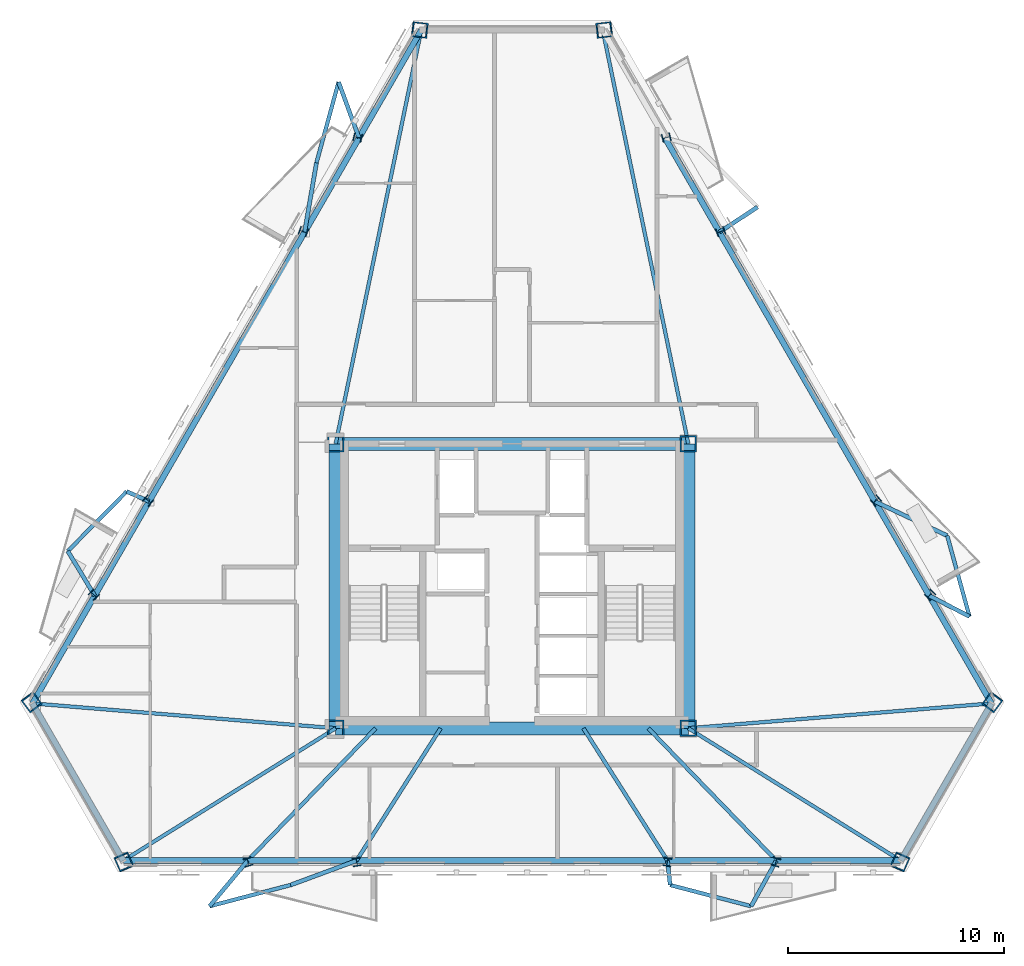
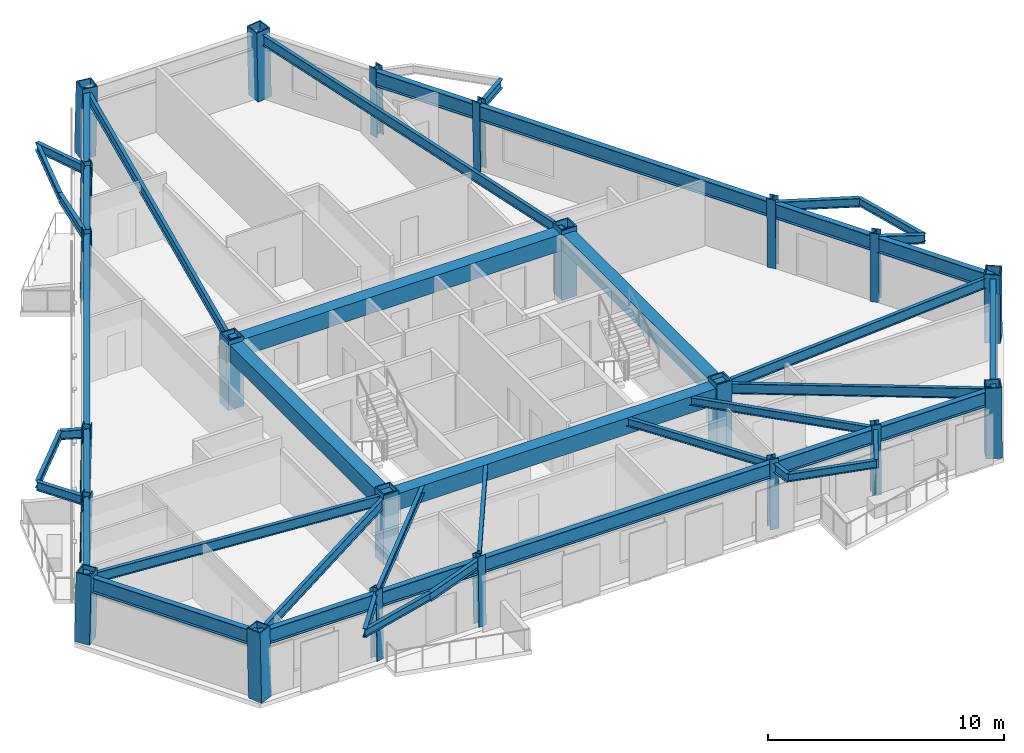
# One storey, part 1 of 8: 46 beams, 22 columns.
"""IFC4 building model written with IfcOpenShell, lengths in metres."""

from ifc_helpers import new_model, si_unit, direction, frame, origin, origin_2d, place, context, subcontext, project, spatial, rectangle, hollow_rectangle, i_section, extrude, material, material_profile, profile_set, type_object, element, save


model = new_model("IFC4")

# Units and contexts
model_context = context("Model", 3, precision=1e-05, world=origin(), true_north=direction((0.0, 1.0)))
body_context = subcontext(model_context, "Body", "Model", "MODEL_VIEW")
ifc_project = project(units=[si_unit("LENGTHUNIT", "METRE"), si_unit("AREAUNIT", "SQUARE_METRE"), si_unit("VOLUMEUNIT", "CUBIC_METRE"), si_unit("PLANEANGLEUNIT", "RADIAN"), si_unit("MASSUNIT", "GRAM", prefix="KILO")], contexts=[model_context])

# Site, building, storey
site_placement = place(None, origin())
site = spatial("IfcSite", under=ifc_project, at=site_placement, CompositionType="ELEMENT")
building_placement = place(site_placement, origin())
building = spatial("IfcBuilding", under=site, at=building_placement, Name="Oramaril Tower", CompositionType="ELEMENT")
storey_placement = place(building_placement, frame((0.0, 0.0, 171.0)))
storey = spatial("IfcBuildingStorey", under=building, at=storey_placement, Name="L45", CompositionType="ELEMENT", Elevation=171.0)

# Columns
ifc_material_1 = material(Name="Steel ASTM A572 Gr 50", Category="steel")
ifc_material_profile_1 = material_profile(ifc_material_1, hollow_rectangle(XDim=0.75, YDim=0.75, WallThickness=0.06005859375, at=origin_2d()), Name="BOX750X750X60")
ifc_profile_set_1 = profile_set([ifc_material_profile_1], Name="Steel ASTM A572 Gr 50")
column_type_1 = type_object("IfcColumnType", Name="CT-CC4", PredefinedType="COLUMN", material=ifc_profile_set_1)
for number, where, z_axis, x_axis, name in (
    (1, (29.35009765625, 11.0, 0.0), (0.0, 0.0, 1.0), (1.0, 0.0, 0.0), "L45 Core Column CC-1"),
    (2, (45.64990234375, 11.0, 0.0), (0.0, 0.0, 1.0), (1.0, 0.0, 0.0), "L45 Core Column CC-2"),
    (3, (45.64990234375, 24.14990234375, 0.0), (0.0, 0.0, 1.0), (1.0, 0.0, 0.0), "L45 Core Column CC-3"),
    (4, (29.35009765625, 24.14990234375, 0.0), (0.0, 0.0, 1.0), (1.0, 0.0, 0.0), "L45 Core Column CC-4"),
):
    element("IfcColumn", number, at=place(storey_placement, frame(where, z_axis=z_axis, x_axis=x_axis)), inside=storey, type_object=column_type_1, Name=name, PredefinedType="COLUMN", context=body_context, shape_type="SweptSolid", body=[
        extrude(hollow_rectangle(XDim=0.75, YDim=0.75, WallThickness=0.06005859375, at=origin_2d()), origin(), (0.0, 0.0, 1.0), 3.60009765625),
    ])
ifc_material_2 = material(Name="Steel ASTM A572 Gr 50", Category="steel")
ifc_material_profile_2 = material_profile(ifc_material_2, hollow_rectangle(XDim=0.699951171875, YDim=0.699951171875, WallThickness=0.054931640625, at=origin_2d()), Name="BOX700X700X55")
ifc_profile_set_2 = profile_set([ifc_material_profile_2], Name="Steel ASTM A572 Gr 50")
column_type_2 = type_object("IfcColumnType", Name="CT-TC4", PredefinedType="COLUMN", material=ifc_profile_set_2)
for number, where, z_axis, x_axis, name in (
    (5, (15.29248046875, 12.214111328125, 0.00439453125), (0.013253906526, -0.017875781622, 0.999752364535), (0.803286576992, 0.595592709177, 0.0), "L45 Tube Column TC-01"),
    (6, (19.56689453125, 4.810546875, 0.00439453125), (-0.008835931418, 0.020458579668, 0.99975165558), (-0.918037123472, -0.396494438709, 0.0), "L45 Tube Column TC-02"),
    (7, (55.43310546875, 4.810546875, 0.00439453125), (0.008835931418, 0.020458579668, 0.99975165558), (-0.918037123472, 0.396494438709, 0.0), "L45 Tube Column TC-03"),
    (8, (59.70751953125, 12.214111328125, 0.00439453125), (-0.013253906526, -0.017875781622, 0.999752364535), (0.803286576992, -0.595592709177, 0.0), "L45 Tube Column TC-04"),
    (9, (41.7744140625, 43.275390625, 0.00439453125), (-0.022089850587, -0.002582813299, 0.999752653198), (0.116131951318, -0.993233794171, 0.0), "L45 Tube Column TC-05"),
    (10, (33.2255859375, 43.275390625, 0.00439453125), (0.022089850587, -0.002582813299, 0.999752653198), (0.116131951318, 0.993233794171, 0.0), "L45 Tube Column TC-06"),
):
    element("IfcColumn", number, at=place(storey_placement, frame(where, z_axis=z_axis, x_axis=x_axis)), inside=storey, type_object=column_type_2, Name=name, PredefinedType="COLUMN", context=body_context, shape_type="SweptSolid", body=[
        extrude(hollow_rectangle(XDim=0.699951171875, YDim=0.699951171875, WallThickness=0.054931640625, at=origin_2d()), origin(), (0.0, 0.0, 1.0), 3.592041015625),
    ])
ifc_material_3 = material(Name="Steel ASTM A572 Gr 50", Category="steel")
ifc_material_profile_3 = material_profile(ifc_material_3, i_section(OverallWidth=0.39892578125, OverallDepth=0.385986328125, WebThickness=0.02099609375, FlangeThickness=0.033203125, at=origin_2d()), Name="W14X176")
ifc_profile_set_3 = profile_set([ifc_material_profile_3], Name="Steel ASTM A572 Gr 50")
column_type_3 = type_object("IfcColumnType", Name="CT-TF4", PredefinedType="COLUMN", material=ifc_profile_set_3)
for number, where, z_axis, x_axis, name in (
    (11, (25.305419921875, 4.810546875, 0.00439453125), (-0.005981372385, 0.020459012364, 0.999772800189), (-0.959821233377, -0.280612187831, 0.0), "L45 Tube Column TC-07"),
    (12, (30.32666015625, 4.810546875, 0.00439453125), (-0.003466518361, 0.020459255425, 0.999784677877), (-0.98594770325, -0.167054262012, 0.0), "L45 Tube Column TC-08"),
    (13, (44.67333984375, 4.810546875, 0.00439453125), (0.003466518361, 0.020459255425, 0.999784677877), (-0.98594770325, 0.167054262012, 0.0), "L45 Tube Column TC-09"),
    (14, (49.694580078125, 4.810546875, 0.00439453125), (0.005981372385, 0.020459012364, 0.999772800189), (-0.959821233377, 0.280612187831, 0.0), "L45 Tube Column TC-10"),
    (15, (56.83837890625, 17.183837890625, 0.00439453125), (-0.014749526674, -0.015361258195, 0.999773215889), (0.721323537181, -0.692598263576, 0.0), "L45 Tube Column TC-11"),
    (16, (54.32763671875, 21.532470703125, 0.00439453125), (-0.01590521736, -0.0132543478, 0.99978565019), (0.640184399664, -0.768221279597, 0.0), "L45 Tube Column TC-12"),
    (17, (47.154296875, 33.956787109375, 0.00439453125), (-0.01943970831, -0.007136955848, 0.999785557808), (0.34464039359, -0.938734786351, 0.0), "L45 Tube Column TC-13"),
    (18, (44.643798828125, 38.305419921875, 0.00439453125), (-0.020730885456, -0.005029788602, 0.999772439916), (0.235782408653, -0.9718058735, 0.0), "L45 Tube Column TC-14"),
    (19, (30.356201171875, 38.305419921875, 0.00439453125), (0.020730885456, -0.005029788602, 0.999772439916), (0.235782408653, 0.9718058735, 0.0), "L45 Tube Column TC-15"),
    (20, (27.845703125, 33.956787109375, 0.00439453125), (0.01943970831, -0.007136955848, 0.999785557808), (0.34464039359, 0.938734786351, 0.0), "L45 Tube Column TC-16"),
    (21, (20.67236328125, 21.532470703125, 0.00439453125), (0.01590521736, -0.0132543478, 0.99978565019), (0.640184399664, 0.768221279597, 0.0), "L45 Tube Column TC-17"),
    (22, (18.16162109375, 17.183837890625, 0.00439453125), (0.014749526674, -0.015361258195, 0.999773215889), (0.721323537181, 0.692598263576, 0.0), "L45 Tube Column TC-18"),
):
    element("IfcColumn", number, at=place(storey_placement, frame(where, z_axis=z_axis, x_axis=x_axis)), inside=storey, type_object=column_type_3, Name=name, PredefinedType="COLUMN", context=body_context, shape_type="SweptSolid", body=[
        extrude(i_section(OverallWidth=0.39892578125, OverallDepth=0.385986328125, WebThickness=0.02099609375, FlangeThickness=0.033203125, at=origin_2d()), origin(), (0.0, 0.0, 1.0), 3.591796875),
    ])

# Beams
ifc_material_4 = material(Name="Steel ASTM A572 Gr 50", Category="steel")
ifc_material_profile_4 = material_profile(ifc_material_4, i_section(OverallWidth=0.19091796875, OverallDepth=0.45703125, WebThickness=0.009033203125, FlangeThickness=0.014404296875, at=origin_2d()), Name="W18X50")
ifc_profile_set_4 = profile_set([ifc_material_profile_4], Name="Steel ASTM A572 Gr 50")
beam_type_1 = type_object("IfcBeamType", Name="BT-BB1", PredefinedType="BEAM", material=ifc_profile_set_4)
beam_1_placement = place(storey_placement, frame((25.283935546875, 4.884033203125, 3.151611328125), z_axis=(-0.641136752646, -0.767426650832, 0.0), x_axis=(0.767426650832, -0.641136752646, 0.0)))
element("IfcBeam", 23, at=beam_1_placement, inside=storey, type_object=beam_type_1, Name="L45 Balcony Column-Framed Cantilever 01.1", PredefinedType="BEAM", context=body_context, shape_type="SweptSolid", body=[
    extrude(i_section(OverallWidth=0.19091796875, OverallDepth=0.45703125, WebThickness=0.009033203125, FlangeThickness=0.014404296875, at=origin_2d()), origin(), (0.0, 0.0, 1.0), 2.7470703125),
])
beam_2_placement = place(storey_placement, frame((30.314208984375, 4.884033203125, 3.151611328125), z_axis=(-0.93783029788, -0.347094126108, 0.0), x_axis=(0.347094126108, -0.93783029788, 0.0)))
element("IfcBeam", 24, at=beam_2_placement, inside=storey, type_object=beam_type_1, Name="L45 Balcony Column-Framed Cantilever 01.2", PredefinedType="BEAM", context=body_context, shape_type="SweptSolid", body=[
    extrude(i_section(OverallWidth=0.19091796875, OverallDepth=0.45703125, WebThickness=0.009033203125, FlangeThickness=0.014404296875, at=origin_2d()), origin(), (0.0, 0.0, 1.0), 3.249755859375),
])
beam_3_placement = place(storey_placement, frame((44.685791015625, 4.884033203125, 3.151611328125), z_axis=(0.108022194433, -0.994148482627, 0.0), x_axis=(0.994148482627, 0.108022194433, 0.0)))
element("IfcBeam", 25, at=beam_3_placement, inside=storey, type_object=beam_type_1, Name="L45 Balcony Column-Framed Cantilever 02.1", PredefinedType="BEAM", context=body_context, shape_type="SweptSolid", body=[
    extrude(i_section(OverallWidth=0.19091796875, OverallDepth=0.45703125, WebThickness=0.009033203125, FlangeThickness=0.014404296875, at=origin_2d()), origin(), (0.0, 0.0, 1.0), 1.134521484375),
])
beam_4_placement = place(storey_placement, frame((49.716064453125, 4.884033203125, 3.151611328125), z_axis=(-0.483222072741, -0.875497817482, 0.0), x_axis=(0.875497817482, -0.483222072741, 0.0)))
element("IfcBeam", 26, at=beam_4_placement, inside=storey, type_object=beam_type_1, Name="L45 Balcony Column-Framed Cantilever 02.2", PredefinedType="BEAM", context=body_context, shape_type="SweptSolid", body=[
    extrude(i_section(OverallWidth=0.19091796875, OverallDepth=0.45703125, WebThickness=0.009033203125, FlangeThickness=0.014404296875, at=origin_2d()), origin(), (0.0, 0.0, 1.0), 2.407958984375),
])
beam_5_placement = place(storey_placement, frame((56.785400390625, 17.128662109375, 3.151611328125), z_axis=(0.888107578624, -0.459635647867, 0.0), x_axis=(0.459635647867, 0.888107578624, 0.0)))
element("IfcBeam", 27, at=beam_5_placement, inside=storey, type_object=beam_type_1, Name="L45 Balcony Column-Framed Cantilever 03.1", PredefinedType="BEAM", context=body_context, shape_type="SweptSolid", body=[
    extrude(i_section(OverallWidth=0.19091796875, OverallDepth=0.45703125, WebThickness=0.009033203125, FlangeThickness=0.014404296875, at=origin_2d()), origin(), (0.0, 0.0, 1.0), 2.091796875),
])
beam_6_placement = place(storey_placement, frame((54.2705078125, 21.48486328125, 3.151611328125), z_axis=(0.903878868894, -0.427788487884, 0.0), x_axis=(0.427788487884, 0.903878868894, 0.0)))
element("IfcBeam", 28, at=beam_6_placement, inside=storey, type_object=beam_type_1, Name="L45 Balcony Column-Framed Cantilever 03.2", PredefinedType="BEAM", context=body_context, shape_type="SweptSolid", body=[
    extrude(i_section(OverallWidth=0.19091796875, OverallDepth=0.45703125, WebThickness=0.009033203125, FlangeThickness=0.014404296875, at=origin_2d()), origin(), (0.0, 0.0, 1.0), 3.699951171875),
])
beam_7_placement = place(storey_placement, frame((47.08447265625, 33.93115234375, 3.151611328125), z_axis=(0.835555358886, 0.549406263377, 0.0), x_axis=(-0.549406263377, 0.835555358886, 0.0)))
element("IfcBeam", 29, at=beam_7_placement, inside=storey, type_object=beam_type_1, Name="L45 Balcony Column-Framed Cantilever 04.1", PredefinedType="BEAM", context=body_context, shape_type="SweptSolid", body=[
    extrude(i_section(OverallWidth=0.19091796875, OverallDepth=0.45703125, WebThickness=0.009033203125, FlangeThickness=0.014404296875, at=origin_2d()), origin(), (0.0, 0.0, 1.0), 2.111572265625),
])
beam_8_placement = place(storey_placement, frame((30.4306640625, 38.287353515625, 3.151611328125), z_axis=(-0.344032671238, 0.938957678024, 0.0), x_axis=(-0.938957678024, -0.344032671238, 0.0)))
element("IfcBeam", 30, at=beam_8_placement, inside=storey, type_object=beam_type_1, Name="L45 Balcony Column-Framed Cantilever 05.1", PredefinedType="BEAM", context=body_context, shape_type="SweptSolid", body=[
    extrude(i_section(OverallWidth=0.19091796875, OverallDepth=0.45703125, WebThickness=0.009033203125, FlangeThickness=0.014404296875, at=origin_2d()), origin(), (0.0, 0.0, 1.0), 2.7470703125),
])
beam_9_placement = place(storey_placement, frame((27.91552734375, 33.93115234375, 3.151611328125), z_axis=(0.168283999649, 0.9857385533, 0.0), x_axis=(-0.9857385533, 0.168283999649, 0.0)))
element("IfcBeam", 31, at=beam_9_placement, inside=storey, type_object=beam_type_1, Name="L45 Balcony Column-Framed Cantilever 05.2", PredefinedType="BEAM", context=body_context, shape_type="SweptSolid", body=[
    extrude(i_section(OverallWidth=0.19091796875, OverallDepth=0.45703125, WebThickness=0.009033203125, FlangeThickness=0.014404296875, at=origin_2d()), origin(), (0.0, 0.0, 1.0), 3.249755859375),
])
beam_10_placement = place(storey_placement, frame((20.7294921875, 21.48486328125, 3.151611328125), z_axis=(-0.914908452827, 0.403661396403, 0.0), x_axis=(-0.403661396403, -0.914908452827, 0.0)))
element("IfcBeam", 32, at=beam_10_placement, inside=storey, type_object=beam_type_1, Name="L45 Balcony Column-Framed Cantilever 06.1", PredefinedType="BEAM", context=body_context, shape_type="SweptSolid", body=[
    extrude(i_section(OverallWidth=0.19091796875, OverallDepth=0.45703125, WebThickness=0.009033203125, FlangeThickness=0.014404296875, at=origin_2d()), origin(), (0.0, 0.0, 1.0), 1.134521484375),
])
beam_11_placement = place(storey_placement, frame((18.214599609375, 17.128662109375, 3.151611328125), z_axis=(-0.516626520254, 0.856210861045, 0.0), x_axis=(-0.856210861045, -0.516626520254, 0.0)))
element("IfcBeam", 33, at=beam_11_placement, inside=storey, type_object=beam_type_1, Name="L45 Balcony Column-Framed Cantilever 06.2", PredefinedType="BEAM", context=body_context, shape_type="SweptSolid", body=[
    extrude(i_section(OverallWidth=0.19091796875, OverallDepth=0.45703125, WebThickness=0.009033203125, FlangeThickness=0.014404296875, at=origin_2d()), origin(), (0.0, 0.0, 1.0), 2.40771484375),
])
ifc_material_5 = material(Name="Concrete C50/60", Category="concrete")
ifc_material_profile_5 = material_profile(ifc_material_5, rectangle(XDim=0.60009765625, YDim=0.85009765625, at=origin_2d()), Name="CB600X850")
ifc_profile_set_5 = profile_set([ifc_material_profile_5], Name="Concrete C50/60")
beam_type_2 = type_object("IfcBeamType", Name="BT-CB2", PredefinedType="BEAM", material=ifc_profile_set_5)
beam_12_placement = place(storey_placement, frame((29.35009765625, 11.0, 2.955078125), z_axis=(1.0, 0.0, 0.0), x_axis=(0.0, 1.0, 0.0)))
element("IfcBeam", 34, at=beam_12_placement, inside=storey, type_object=beam_type_2, Name="L45 Core Header Beam CB-1", PredefinedType="BEAM", context=body_context, shape_type="SweptSolid", body=[
    extrude(rectangle(XDim=0.60009765625, YDim=0.85009765625, at=origin_2d()), origin(), (0.0, 0.0, 1.0), 16.2998046875),
])
beam_13_placement = place(storey_placement, frame((45.64990234375, 11.0, 2.955078125), z_axis=(0.0, 1.0, 0.0), x_axis=(-1.0, 0.0, 0.0)))
element("IfcBeam", 35, at=beam_13_placement, inside=storey, type_object=beam_type_2, Name="L45 Core Header Beam CB-2", PredefinedType="BEAM", context=body_context, shape_type="SweptSolid", body=[
    extrude(rectangle(XDim=0.60009765625, YDim=0.85009765625, at=origin_2d()), origin(), (0.0, 0.0, 1.0), 13.14990234375),
])
beam_14_placement = place(storey_placement, frame((45.64990234375, 24.14990234375, 2.955078125), z_axis=(-1.0, 0.0, 0.0), x_axis=(0.0, -1.0, 0.0)))
element("IfcBeam", 36, at=beam_14_placement, inside=storey, type_object=beam_type_2, Name="L45 Core Header Beam CB-3", PredefinedType="BEAM", context=body_context, shape_type="SweptSolid", body=[
    extrude(rectangle(XDim=0.60009765625, YDim=0.85009765625, at=origin_2d()), origin(), (0.0, 0.0, 1.0), 16.2998046875),
])
beam_15_placement = place(storey_placement, frame((29.35009765625, 24.14990234375, 2.955078125), z_axis=(0.0, -1.0, 0.0), x_axis=(1.0, 0.0, 0.0)))
element("IfcBeam", 37, at=beam_15_placement, inside=storey, type_object=beam_type_2, Name="L45 Core Header Beam CB-4", PredefinedType="BEAM", context=body_context, shape_type="SweptSolid", body=[
    extrude(rectangle(XDim=0.60009765625, YDim=0.85009765625, at=origin_2d()), origin(), (0.0, 0.0, 1.0), 13.14990234375),
])
ifc_material_6 = material(Name="Steel ASTM A572 Gr 50", Category="steel")
ifc_material_profile_6 = material_profile(ifc_material_6, i_section(OverallWidth=0.166015625, OverallDepth=0.528076171875, WebThickness=0.009765625, FlangeThickness=0.013671875, at=origin_2d()), Name="W21X50")
ifc_profile_set_6 = profile_set([ifc_material_profile_6], Name="Steel ASTM A572 Gr 50")
beam_type_3 = type_object("IfcBeamType", Name="BT-FB3", PredefinedType="BEAM", material=ifc_profile_set_6)
beam_16_placement = place(storey_placement, frame((29.35009765625, 11.0, 3.115966796875), z_axis=(-0.996648590317, 0.081802123558, 0.0), x_axis=(-0.081802123558, -0.996648590317, 0.0)))
element("IfcBeam", 38, at=beam_16_placement, inside=storey, type_object=beam_type_3, Name="L45 Radial Primary Beam RB-01", PredefinedType="BEAM", context=body_context, shape_type="SweptSolid", body=[
    extrude(i_section(OverallWidth=0.166015625, OverallDepth=0.528076171875, WebThickness=0.009765625, FlangeThickness=0.013671875, at=origin_2d()), origin(), (0.0, 0.0, 1.0), 14.05712890625),
])
for number, where, z_axis, x_axis, name in (
    (39, (29.35009765625, 11.0, 3.115966796875), (-0.848711519267, -0.528856083507, 0.0), (0.528856083507, -0.848711519267, 0.0), "L45 Radial Primary Beam RB-02"),
    (40, (45.64990234375, 11.0, 3.115966796875), (0.848711519267, -0.528856083507, 0.0), (0.528856083507, 0.848711519267, 0.0), "L45 Radial Primary Beam RB-03"),
):
    element("IfcBeam", number, at=place(storey_placement, frame(where, z_axis=z_axis, x_axis=x_axis)), inside=storey, type_object=beam_type_3, Name=name, PredefinedType="BEAM", context=body_context, shape_type="SweptSolid", body=[
        extrude(i_section(OverallWidth=0.166015625, OverallDepth=0.528076171875, WebThickness=0.009765625, FlangeThickness=0.013671875, at=origin_2d()), origin(), (0.0, 0.0, 1.0), 11.564453125),
    ])
beam_17_placement = place(storey_placement, frame((45.64990234375, 11.0, 3.115966796875), z_axis=(0.996648590317, 0.081802123558, 0.0), x_axis=(-0.081802123558, 0.996648590317, 0.0)))
element("IfcBeam", 41, at=beam_17_placement, inside=storey, type_object=beam_type_3, Name="L45 Radial Primary Beam RB-04", PredefinedType="BEAM", context=body_context, shape_type="SweptSolid", body=[
    extrude(i_section(OverallWidth=0.166015625, OverallDepth=0.528076171875, WebThickness=0.009765625, FlangeThickness=0.013671875, at=origin_2d()), origin(), (0.0, 0.0, 1.0), 14.05712890625),
])
for number, where, z_axis, x_axis, name in (
    (42, (45.64990234375, 24.14990234375, 3.115966796875), (-0.202593610852, 0.979262900779, 0.0), (-0.979262900779, -0.202593610852, 0.0), "L45 Radial Primary Beam RB-05"),
    (43, (29.35009765625, 24.14990234375, 3.115966796875), (0.202593610852, 0.979262900779, 0.0), (-0.979262900779, 0.202593610852, 0.0), "L45 Radial Primary Beam RB-06"),
):
    element("IfcBeam", number, at=place(storey_placement, frame(where, z_axis=z_axis, x_axis=x_axis)), inside=storey, type_object=beam_type_3, Name=name, PredefinedType="BEAM", context=body_context, shape_type="SweptSolid", body=[
        extrude(i_section(OverallWidth=0.166015625, OverallDepth=0.528076171875, WebThickness=0.009765625, FlangeThickness=0.013671875, at=origin_2d()), origin(), (0.0, 0.0, 1.0), 19.52099609375),
    ])
ifc_material_7 = material(Name="Steel ASTM A572 Gr 50", Category="steel")
ifc_material_profile_7 = material_profile(ifc_material_7, i_section(OverallWidth=0.177978515625, OverallDepth=0.404052734375, WebThickness=0.007568359375, FlangeThickness=0.010986328125, at=origin_2d()), Name="W16X36")
ifc_profile_set_7 = profile_set([ifc_material_profile_7], Name="Steel ASTM A572 Gr 50")
beam_type_4 = type_object("IfcBeamType", Name="BT-SB1", PredefinedType="BEAM", material=ifc_profile_set_7)
beam_18_placement = place(storey_placement, frame((31.199951171875, 11.0, 3.177978515625), z_axis=(-0.695259866283, -0.718758456184, 0.0), x_axis=(0.718758456184, -0.695259866283, 0.0)))
element("IfcBeam", 44, at=beam_18_placement, inside=storey, type_object=beam_type_4, Name="L45 Secondary Floor Beam SB-01", PredefinedType="BEAM", context=body_context, shape_type="SweptSolid", body=[
    extrude(i_section(OverallWidth=0.177978515625, OverallDepth=0.404052734375, WebThickness=0.007568359375, FlangeThickness=0.010986328125, at=origin_2d()), origin(), (0.0, 0.0, 1.0), 8.509033203125),
])
for number, where, z_axis, x_axis, name in (
    (45, (34.199951171875, 11.0, 3.177978515625), (-0.536262726988, -0.844051116724, 0.0), (0.844051116724, -0.536262726988, 0.0), "L45 Secondary Floor Beam SB-02"),
    (46, (40.800048828125, 11.0, 3.177978515625), (0.536262726988, -0.844051116724, 0.0), (0.844051116724, 0.536262726988, 0.0), "L45 Secondary Floor Beam SB-03"),
):
    element("IfcBeam", number, at=place(storey_placement, frame(where, z_axis=z_axis, x_axis=x_axis)), inside=storey, type_object=beam_type_4, Name=name, PredefinedType="BEAM", context=body_context, shape_type="SweptSolid", body=[
        extrude(i_section(OverallWidth=0.177978515625, OverallDepth=0.404052734375, WebThickness=0.007568359375, FlangeThickness=0.010986328125, at=origin_2d()), origin(), (0.0, 0.0, 1.0), 7.245849609375),
    ])
beam_19_placement = place(storey_placement, frame((43.800048828125, 11.0, 3.177978515625), z_axis=(0.695259866283, -0.718758456184, 0.0), x_axis=(0.718758456184, 0.695259866283, 0.0)))
element("IfcBeam", 47, at=beam_19_placement, inside=storey, type_object=beam_type_4, Name="L45 Secondary Floor Beam SB-04", PredefinedType="BEAM", context=body_context, shape_type="SweptSolid", body=[
    extrude(i_section(OverallWidth=0.177978515625, OverallDepth=0.404052734375, WebThickness=0.007568359375, FlangeThickness=0.010986328125, at=origin_2d()), origin(), (0.0, 0.0, 1.0), 8.509033203125),
])
beam_20_placement = place(storey_placement, frame((23.522705078125, 2.77587890625, 3.177978515625), z_axis=(0.967392467397, 0.253282083899, 0.0), x_axis=(-0.253282083899, 0.967392467397, 0.0)))
element("IfcBeam", 48, at=beam_20_placement, inside=storey, type_object=beam_type_4, Name="L45 Balcony Edge Tie Beam 01", PredefinedType="BEAM", context=body_context, shape_type="SweptSolid", body=[
    extrude(i_section(OverallWidth=0.177978515625, OverallDepth=0.404052734375, WebThickness=0.007568359375, FlangeThickness=0.010986328125, at=origin_2d()), origin(), (0.0, 0.0, 1.0), 3.8701171875),
])
beam_21_placement = place(storey_placement, frame((44.808349609375, 3.756103515625, 3.177978515625), z_axis=(0.967396513976, -0.253266627779, 0.0), x_axis=(0.253266627779, 0.967396513976, 0.0)))
element("IfcBeam", 49, at=beam_21_placement, inside=storey, type_object=beam_type_4, Name="L45 Balcony Edge Tie Beam 02", PredefinedType="BEAM", context=body_context, shape_type="SweptSolid", body=[
    extrude(i_section(OverallWidth=0.177978515625, OverallDepth=0.404052734375, WebThickness=0.007568359375, FlangeThickness=0.010986328125, at=origin_2d()), origin(), (0.0, 0.0, 1.0), 3.870361328125),
])
beam_22_placement = place(storey_placement, frame((58.64306640625, 16.167236328125, 3.177978515625), z_axis=(-0.265452359466, 0.964123977948, 0.0), x_axis=(-0.964123977948, -0.265452359466, 0.0)))
element("IfcBeam", 50, at=beam_22_placement, inside=storey, type_object=beam_type_4, Name="L45 Balcony Edge Tie Beam 03", PredefinedType="BEAM", context=body_context, shape_type="SweptSolid", body=[
    extrude(i_section(OverallWidth=0.177978515625, OverallDepth=0.404052734375, WebThickness=0.007568359375, FlangeThickness=0.010986328125, at=origin_2d()), origin(), (0.0, 0.0, 1.0), 3.873779296875),
])
beam_23_placement = place(storey_placement, frame((29.485595703125, 40.86669921875, 3.177978515625), z_axis=(-0.264398328629, -0.964413564721, 0.0), x_axis=(0.964413564721, -0.264398328629, 0.0)))
element("IfcBeam", 51, at=beam_23_placement, inside=storey, type_object=beam_type_4, Name="L45 Balcony Edge Tie Beam 05", PredefinedType="BEAM", context=body_context, shape_type="SweptSolid", body=[
    extrude(i_section(OverallWidth=0.177978515625, OverallDepth=0.404052734375, WebThickness=0.007568359375, FlangeThickness=0.010986328125, at=origin_2d()), origin(), (0.0, 0.0, 1.0), 3.869873046875),
])
beam_24_placement = place(storey_placement, frame((19.69140625, 21.94287109375, 3.177978515625), z_axis=(-0.702962973102, -0.711226446673, 0.0), x_axis=(0.711226446673, -0.702962973102, 0.0)))
element("IfcBeam", 52, at=beam_24_placement, inside=storey, type_object=beam_type_4, Name="L45 Balcony Edge Tie Beam 06", PredefinedType="BEAM", context=body_context, shape_type="SweptSolid", body=[
    extrude(i_section(OverallWidth=0.177978515625, OverallDepth=0.404052734375, WebThickness=0.007568359375, FlangeThickness=0.010986328125, at=origin_2d()), origin(), (0.0, 0.0, 1.0), 3.870361328125),
])
ifc_material_8 = material(Name="Steel ASTM A572 Gr 50", Category="steel")
ifc_material_profile_8 = material_profile(ifc_material_8, i_section(OverallWidth=0.26708984375, OverallDepth=0.77001953125, WebThickness=0.015625, FlangeThickness=0.025390625, at=origin_2d()), Name="W30X132")
ifc_profile_set_8 = profile_set([ifc_material_profile_8], Name="Steel ASTM A572 Gr 50")
beam_type_5 = type_object("IfcBeamType", Name="BT-SP3", PredefinedType="SPANDREL", material=ifc_profile_set_8)
beam_25_placement = place(storey_placement, frame((15.340087890625, 12.14990234375, 2.9951171875), z_axis=(0.500010445942, -0.866019372733, 0.0), x_axis=(0.866019372733, 0.500010445942, 0.0)))
element("IfcBeam", 53, at=beam_25_placement, inside=storey, type_object=beam_type_5, Name="L45 Perimeter Spandrel 01", PredefinedType="SPANDREL", context=body_context, shape_type="SweptSolid", body=[
    extrude(i_section(OverallWidth=0.26708984375, OverallDepth=0.77001953125, WebThickness=0.015625, FlangeThickness=0.025390625, at=origin_2d()), origin(), (0.0, 0.0, 1.0), 8.389892578125),
])
beam_26_placement = place(storey_placement, frame((19.53515625, 4.884033203125, 2.9951171875), z_axis=(1.0, 0.0, 0.0), x_axis=(0.0, 1.0, 0.0)))
element("IfcBeam", 54, at=beam_26_placement, inside=storey, type_object=beam_type_5, Name="L45 Perimeter Spandrel 02", PredefinedType="SPANDREL", context=body_context, shape_type="SweptSolid", body=[
    extrude(i_section(OverallWidth=0.26708984375, OverallDepth=0.77001953125, WebThickness=0.015625, FlangeThickness=0.025390625, at=origin_2d()), origin(), (0.0, 0.0, 1.0), 5.748779296875),
])
beam_27_placement = place(storey_placement, frame((25.283935546875, 4.884033203125, 2.9951171875), z_axis=(1.0, 0.0, 0.0), x_axis=(0.0, 1.0, 0.0)))
element("IfcBeam", 55, at=beam_27_placement, inside=storey, type_object=beam_type_5, Name="L45 Perimeter Spandrel 03", PredefinedType="SPANDREL", context=body_context, shape_type="SweptSolid", body=[
    extrude(i_section(OverallWidth=0.26708984375, OverallDepth=0.77001953125, WebThickness=0.015625, FlangeThickness=0.025390625, at=origin_2d()), origin(), (0.0, 0.0, 1.0), 5.0302734375),
])
beam_28_placement = place(storey_placement, frame((30.314208984375, 4.884033203125, 2.9951171875), z_axis=(1.0, 0.0, 0.0), x_axis=(0.0, 1.0, 0.0)))
element("IfcBeam", 56, at=beam_28_placement, inside=storey, type_object=beam_type_5, Name="L45 Perimeter Spandrel 04", PredefinedType="SPANDREL", context=body_context, shape_type="SweptSolid", body=[
    extrude(i_section(OverallWidth=0.26708984375, OverallDepth=0.77001953125, WebThickness=0.015625, FlangeThickness=0.025390625, at=origin_2d()), origin(), (0.0, 0.0, 1.0), 14.37158203125),
])
beam_29_placement = place(storey_placement, frame((44.685791015625, 4.884033203125, 2.9951171875), z_axis=(1.0, 0.0, 0.0), x_axis=(0.0, 1.0, 0.0)))
element("IfcBeam", 57, at=beam_29_placement, inside=storey, type_object=beam_type_5, Name="L45 Perimeter Spandrel 05", PredefinedType="SPANDREL", context=body_context, shape_type="SweptSolid", body=[
    extrude(i_section(OverallWidth=0.26708984375, OverallDepth=0.77001953125, WebThickness=0.015625, FlangeThickness=0.025390625, at=origin_2d()), origin(), (0.0, 0.0, 1.0), 5.0302734375),
])
beam_30_placement = place(storey_placement, frame((49.716064453125, 4.884033203125, 2.9951171875), z_axis=(1.0, 0.0, 0.0), x_axis=(0.0, 1.0, 0.0)))
element("IfcBeam", 58, at=beam_30_placement, inside=storey, type_object=beam_type_5, Name="L45 Perimeter Spandrel 06", PredefinedType="SPANDREL", context=body_context, shape_type="SweptSolid", body=[
    extrude(i_section(OverallWidth=0.26708984375, OverallDepth=0.77001953125, WebThickness=0.015625, FlangeThickness=0.025390625, at=origin_2d()), origin(), (0.0, 0.0, 1.0), 5.748779296875),
])
beam_31_placement = place(storey_placement, frame((55.46484375, 4.884033203125, 2.9951171875), z_axis=(0.500010445942, 0.866019372733, 0.0), x_axis=(-0.866019372733, 0.500010445942, 0.0)))
element("IfcBeam", 59, at=beam_31_placement, inside=storey, type_object=beam_type_5, Name="L45 Perimeter Spandrel 07", PredefinedType="SPANDREL", context=body_context, shape_type="SweptSolid", body=[
    extrude(i_section(OverallWidth=0.26708984375, OverallDepth=0.77001953125, WebThickness=0.015625, FlangeThickness=0.025390625, at=origin_2d()), origin(), (0.0, 0.0, 1.0), 8.389892578125),
])
beam_32_placement = place(storey_placement, frame((59.659912109375, 12.14990234375, 2.9951171875), z_axis=(-0.500003056339, 0.866023639199, 0.0), x_axis=(-0.866023639199, -0.500003056339, 0.0)))
element("IfcBeam", 60, at=beam_32_placement, inside=storey, type_object=beam_type_5, Name="L45 Perimeter Spandrel 08", PredefinedType="SPANDREL", context=body_context, shape_type="SweptSolid", body=[
    extrude(i_section(OverallWidth=0.26708984375, OverallDepth=0.77001953125, WebThickness=0.015625, FlangeThickness=0.025390625, at=origin_2d()), origin(), (0.0, 0.0, 1.0), 5.7490234375),
])
beam_33_placement = place(storey_placement, frame((56.785400390625, 17.128662109375, 2.9951171875), z_axis=(-0.499975943113, 0.866039292589, 0.0), x_axis=(-0.866039292589, -0.499975943113, 0.0)))
element("IfcBeam", 61, at=beam_33_placement, inside=storey, type_object=beam_type_5, Name="L45 Perimeter Spandrel 09", PredefinedType="SPANDREL", context=body_context, shape_type="SweptSolid", body=[
    extrude(i_section(OverallWidth=0.26708984375, OverallDepth=0.77001953125, WebThickness=0.015625, FlangeThickness=0.025390625, at=origin_2d()), origin(), (0.0, 0.0, 1.0), 5.030029296875),
])
beam_34_placement = place(storey_placement, frame((54.2705078125, 21.48486328125, 2.9951171875), z_axis=(-0.500008705323, 0.866020377705, 0.0), x_axis=(-0.866020377705, -0.500008705323, 0.0)))
element("IfcBeam", 62, at=beam_34_placement, inside=storey, type_object=beam_type_5, Name="L45 Perimeter Spandrel 10", PredefinedType="SPANDREL", context=body_context, shape_type="SweptSolid", body=[
    extrude(i_section(OverallWidth=0.26708984375, OverallDepth=0.77001953125, WebThickness=0.015625, FlangeThickness=0.025390625, at=origin_2d()), origin(), (0.0, 0.0, 1.0), 14.371826171875),
])
beam_35_placement = place(storey_placement, frame((47.08447265625, 33.93115234375, 2.9951171875), z_axis=(-0.500012345436, 0.866018276026, 0.0), x_axis=(-0.866018276026, -0.500012345436, 0.0)))
element("IfcBeam", 63, at=beam_35_placement, inside=storey, type_object=beam_type_5, Name="L45 Perimeter Spandrel 11", PredefinedType="SPANDREL", context=body_context, shape_type="SweptSolid", body=[
    extrude(i_section(OverallWidth=0.26708984375, OverallDepth=0.77001953125, WebThickness=0.015625, FlangeThickness=0.025390625, at=origin_2d()), origin(), (0.0, 0.0, 1.0), 5.030029296875),
])
beam_36_placement = place(storey_placement, frame((33.304931640625, 43.26611328125, 2.9951171875), z_axis=(-0.499971205421, -0.866042027704, 0.0), x_axis=(0.866042027704, -0.499971205421, 0.0)))
element("IfcBeam", 64, at=beam_36_placement, inside=storey, type_object=beam_type_5, Name="L45 Perimeter Spandrel 14", PredefinedType="SPANDREL", context=body_context, shape_type="SweptSolid", body=[
    extrude(i_section(OverallWidth=0.26708984375, OverallDepth=0.77001953125, WebThickness=0.015625, FlangeThickness=0.025390625, at=origin_2d()), origin(), (0.0, 0.0, 1.0), 5.748779296875),
])
beam_37_placement = place(storey_placement, frame((30.4306640625, 38.287353515625, 2.9951171875), z_axis=(-0.500012345436, -0.866018276026, 0.0), x_axis=(0.866018276026, -0.500012345436, 0.0)))
element("IfcBeam", 65, at=beam_37_placement, inside=storey, type_object=beam_type_5, Name="L45 Perimeter Spandrel 15", PredefinedType="SPANDREL", context=body_context, shape_type="SweptSolid", body=[
    extrude(i_section(OverallWidth=0.26708984375, OverallDepth=0.77001953125, WebThickness=0.015625, FlangeThickness=0.025390625, at=origin_2d()), origin(), (0.0, 0.0, 1.0), 5.030029296875),
])
beam_38_placement = place(storey_placement, frame((27.91552734375, 33.93115234375, 2.9951171875), z_axis=(-0.500008705323, -0.866020377705, 0.0), x_axis=(0.866020377705, -0.500008705323, 0.0)))
element("IfcBeam", 66, at=beam_38_placement, inside=storey, type_object=beam_type_5, Name="L45 Perimeter Spandrel 16", PredefinedType="SPANDREL", context=body_context, shape_type="SweptSolid", body=[
    extrude(i_section(OverallWidth=0.26708984375, OverallDepth=0.77001953125, WebThickness=0.015625, FlangeThickness=0.025390625, at=origin_2d()), origin(), (0.0, 0.0, 1.0), 14.371826171875),
])
beam_39_placement = place(storey_placement, frame((20.7294921875, 21.48486328125, 2.9951171875), z_axis=(-0.499975943113, -0.866039292589, 0.0), x_axis=(0.866039292589, -0.499975943113, 0.0)))
element("IfcBeam", 67, at=beam_39_placement, inside=storey, type_object=beam_type_5, Name="L45 Perimeter Spandrel 17", PredefinedType="SPANDREL", context=body_context, shape_type="SweptSolid", body=[
    extrude(i_section(OverallWidth=0.26708984375, OverallDepth=0.77001953125, WebThickness=0.015625, FlangeThickness=0.025390625, at=origin_2d()), origin(), (0.0, 0.0, 1.0), 5.030029296875),
])
beam_40_placement = place(storey_placement, frame((18.214599609375, 17.128662109375, 2.9951171875), z_axis=(-0.500003056339, -0.866023639199, 0.0), x_axis=(0.866023639199, -0.500003056339, 0.0)))
element("IfcBeam", 68, at=beam_40_placement, inside=storey, type_object=beam_type_5, Name="L45 Perimeter Spandrel 18", PredefinedType="SPANDREL", context=body_context, shape_type="SweptSolid", body=[
    extrude(i_section(OverallWidth=0.26708984375, OverallDepth=0.77001953125, WebThickness=0.015625, FlangeThickness=0.025390625, at=origin_2d()), origin(), (0.0, 0.0, 1.0), 5.7490234375),
])

save(model, "model.ifc")
